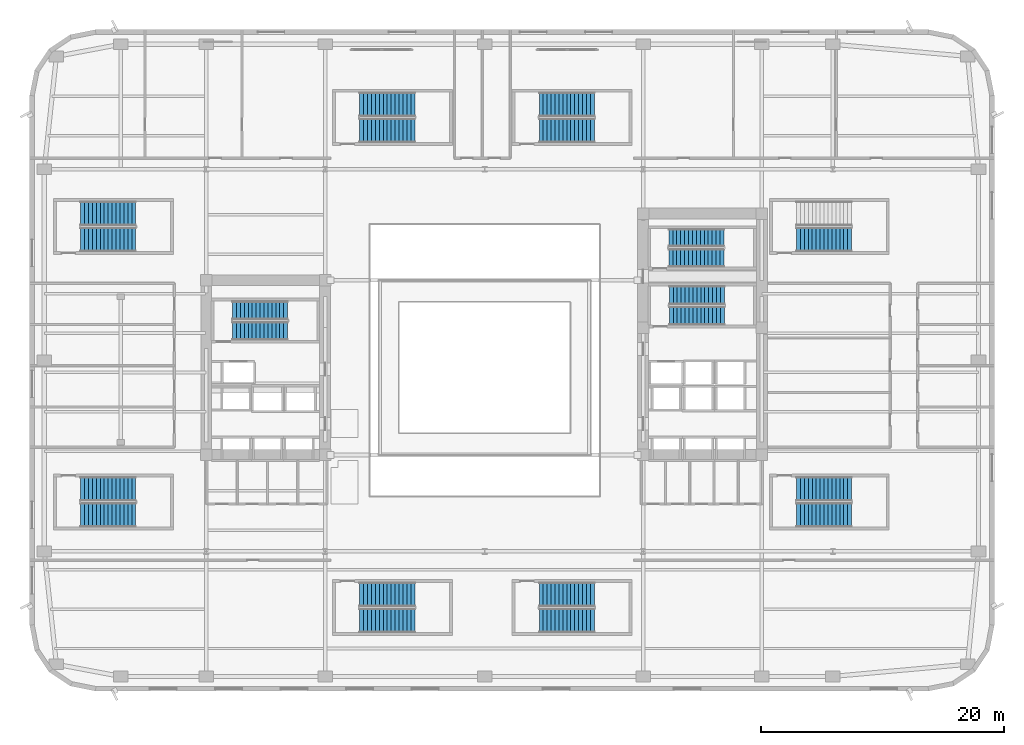
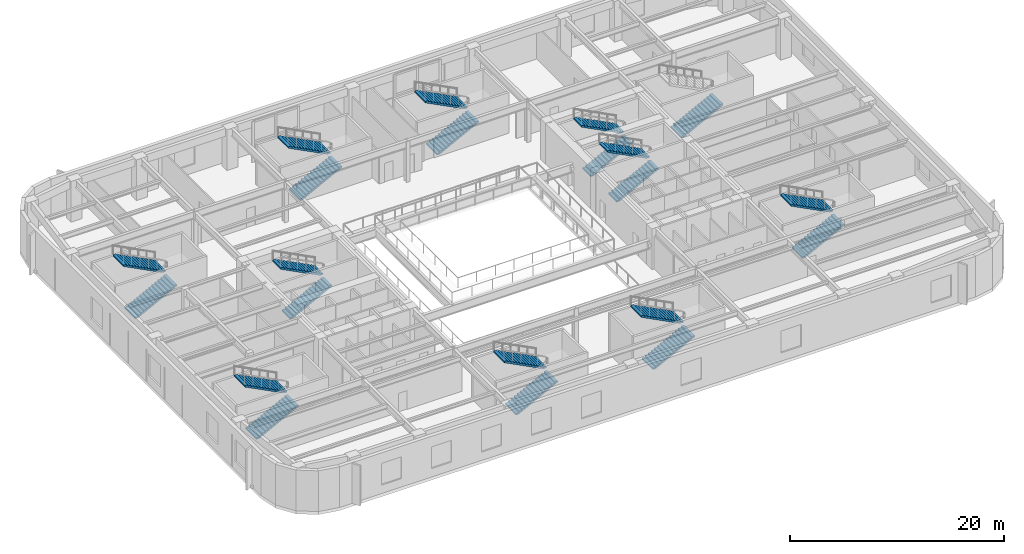
# One storey, part 10 of 21: 21 stair flights, 11 elements without a shape of their own.
"""IFC4 building model written with IfcOpenShell, lengths in metres."""

import ifcopenshell
import ifcopenshell.guid

model = None  # the IFC model being written
_history = None  # IfcOwnerHistory: only IFC2X3 demands one
_inside = {}  # id of a spatial element -> (the spatial element, [elements in it])
_under = {}  # id of a project, library or spatial element -> (it, [spatial elements below it])
_declared = {}  # id of a project -> (the project, [libraries it declares])
_typed = {}  # id of a type object -> (the type object, [elements of that type])
_made_of = {}  # id of a material, layer set ... -> (it, [elements and type objects made of it])


def new_model(schema):
    """Start an empty IFC model of exactly this schema.

    Asked for "IFC4X3", IfcOpenShell would pick the latest addendum, in which some entities
    have other attributes; the version numbers below select the first issue.
    IFC2X3 requires an IfcOwnerHistory on every rooted entity: one is made here for all.
    """
    global model, _history
    if schema == "IFC4X3":
        model = ifcopenshell.file(schema_version=(4, 3, 0, 0))
    else:
        model = ifcopenshell.file(schema=schema)
    _inside.clear()
    _under.clear()
    _declared.clear()
    _typed.clear()
    _made_of.clear()
    _history = None
    if model.schema == "IFC2X3":
        org = make("IfcOrganization", Name="unknown")
        user = make(
            "IfcPersonAndOrganization",
            ThePerson=make("IfcPerson", FamilyName="unknown"),
            TheOrganization=org,
        )
        app = make(
            "IfcApplication",
            ApplicationDeveloper=org,
            Version="unknown",
            ApplicationFullName="unknown",
            ApplicationIdentifier="unknown",
        )
        _history = make(
            "IfcOwnerHistory",
            OwningUser=user,
            OwningApplication=app,
            ChangeAction="ADDED",
            CreationDate=0,
        )
    return model


def make(cls, **values):
    """One entity of the class cls with the attributes given. An attribute that is None is left unset."""
    return model.create_entity(
        cls, **{name: value for name, value in values.items() if value is not None}
    )


def rooted(cls, **values):
    """An entity with a GlobalId (a new one), such as an element, a storey or a relation."""
    return make(cls, GlobalId=ifcopenshell.guid.new(), OwnerHistory=_history, **values)


def si_unit(unit_type, name, prefix=None):
    """IfcSIUnit, for example si_unit("LENGTHUNIT", "METRE", prefix="MILLI")."""
    return make("IfcSIUnit", UnitType=unit_type, Prefix=prefix, Name=name)


def assignment(units):
    """IfcUnitAssignment: the units of a project."""
    return None if units is None else make("IfcUnitAssignment", Units=units)


def point(xyz):
    """IfcCartesianPoint."""
    return None if xyz is None else make("IfcCartesianPoint", Coordinates=xyz)


def direction(xyz):
    """IfcDirection."""
    return None if xyz is None else make("IfcDirection", DirectionRatios=xyz)


def frame(location, z_axis=None, x_axis=None):
    """IfcAxis2Placement3D, a coordinate frame: its origin and axes. An axis left out is left unset."""
    return make(
        "IfcAxis2Placement3D",
        Location=point(location),
        Axis=direction(z_axis),
        RefDirection=direction(x_axis),
    )


def origin():
    """The frame at (0, 0, 0) with its axes left unset."""
    return frame((0.0, 0.0, 0.0))


def place(relative_to, where):
    """IfcLocalPlacement: puts the frame where relative to a parent placement (None: the world)."""
    return make(
        "IfcLocalPlacement", PlacementRelTo=relative_to, RelativePlacement=where
    )


def context(
    kind, dimensions, precision=None, world=None, true_north=None, identifier=None
):
    """IfcGeometricRepresentationContext, for example the 3D "Model" context."""
    return make(
        "IfcGeometricRepresentationContext",
        ContextIdentifier=identifier,
        ContextType=kind,
        CoordinateSpaceDimension=dimensions,
        Precision=precision,
        WorldCoordinateSystem=world,
        TrueNorth=true_north,
    )


def subcontext(parent, identifier, kind, view, scale=None):
    """IfcGeometricRepresentationSubContext, for example "Body" below "Model"."""
    return make(
        "IfcGeometricRepresentationSubContext",
        ContextIdentifier=identifier,
        ContextType=kind,
        ParentContext=parent,
        TargetScale=scale,
        TargetView=view,
    )


def project(units=None, contexts=None):
    """IfcProject with its units and contexts."""
    return rooted(
        "IfcProject",
        Name="project",
        RepresentationContexts=contexts,
        UnitsInContext=assignment(units),
    )


def spatial(cls, under=None, at=None, **own):
    """A site, building, storey or space (cls), placed at a placement, below another one or the project."""
    s = rooted(cls, ObjectPlacement=at, **own)
    if under is not None:
        _under.setdefault(under.id(), (under, []))[1].append(s)
    return s


def polyline(points):
    """IfcPolyline through the points."""
    return make("IfcPolyline", Points=[point(p) for p in points])


def outline(outer, holes=None, kind="AREA"):
    """IfcArbitraryClosedProfileDef: a profile drawn as a closed curve; with holes, ...WithVoids."""
    if holes is None:
        return make("IfcArbitraryClosedProfileDef", ProfileType=kind, OuterCurve=outer)
    return make(
        "IfcArbitraryProfileDefWithVoids",
        ProfileType=kind,
        OuterCurve=outer,
        InnerCurves=holes,
    )


def extrude(swept, where, along, depth):
    """IfcExtrudedAreaSolid: the profile swept, set in the frame where, extruded along a direction by depth."""
    return make(
        "IfcExtrudedAreaSolid",
        SweptArea=swept,
        Position=where,
        ExtrudedDirection=direction(along),
        Depth=depth,
    )


def shape(context_of_items, identifier, shape_type, items):
    """IfcShapeRepresentation: the items that make up one representation, for example the "Body"."""
    return make(
        "IfcShapeRepresentation",
        ContextOfItems=context_of_items,
        RepresentationIdentifier=identifier,
        RepresentationType=shape_type,
        Items=items,
    )


def material(Name=None, Category=None):
    """IfcMaterial."""
    return make("IfcMaterial", Name=Name, Category=Category)


def made_of(thing, what):
    """Note that an element or type object is made of a material, layer set ...; save() writes the relation."""
    if what is not None:
        _made_of.setdefault(what.id(), (what, []))[1].append(thing)
    return thing


def type_object(cls, material=None, **own):
    """A type object (cls), such as IfcWallType, which elements share."""
    return made_of(rooted(cls, **own), material)


def element(
    cls,
    number,
    at=None,
    inside=None,
    cuts=None,
    type_object=None,
    material=None,
    context=None,
    identifier="Body",
    shape_type=None,
    held_by="IfcProductDefinitionShape",
    body=None,
    shapes=None,
    **own,
):
    """One element of the class cls, such as IfcWall. Its Tag is "e" and its number.

    at: its placement. inside: the storey or other place that contains it. cuts: it is an
    opening in that element (IfcRelVoidsElement). A single representation is given by context,
    identifier, shape_type and body (its items); several are given by shapes. held_by: the class
    of the entity that holds the representations. save() writes the other relations.
    """
    e = rooted(cls, Tag="e%d" % number, ObjectPlacement=at, **own)
    if body is not None:
        shapes = [shape(context, identifier, shape_type, body)]
    if shapes is not None:
        e.Representation = make(held_by, Representations=shapes)
    if inside is not None:
        _inside.setdefault(inside.id(), (inside, []))[1].append(e)
    if cuts is not None:
        rooted(
            "IfcRelVoidsElement", RelatingBuildingElement=cuts, RelatedOpeningElement=e
        )
    if type_object is not None:
        _typed.setdefault(type_object.id(), (type_object, []))[1].append(e)
    return made_of(e, material)


def aggregate(whole, parts):
    """IfcRelAggregates: a whole, such as a stair, and the parts it consists of."""
    return rooted("IfcRelAggregates", RelatingObject=whole, RelatedObjects=parts)


def save(model, path):
    """Write the relations noted so far, then the file.

    IfcRelAggregates (storeys below a building ...), IfcRelContainedInSpatialStructure (elements
    in a storey), IfcRelDefinesByType, IfcRelAssociatesMaterial and IfcRelDeclares: one each for
    every whole, place, type object, material and project.
    """
    for whole, parts in _under.values():
        aggregate(whole, parts)
    for where, things in _inside.values():
        rooted(
            "IfcRelContainedInSpatialStructure",
            RelatedElements=things,
            RelatingStructure=where,
        )
    for kind, things in _typed.values():
        rooted("IfcRelDefinesByType", RelatedObjects=things, RelatingType=kind)
    for what, things in _made_of.values():
        rooted("IfcRelAssociatesMaterial", RelatedObjects=things, RelatingMaterial=what)
    for by, libraries in _declared.values():
        rooted("IfcRelDeclares", RelatingContext=by, RelatedDefinitions=libraries)
    model.write(path)


model = new_model("IFC4")

# Units and contexts
model_context = context("Model", 3, precision=1e-05, world=origin(), true_north=direction((0.0, 1.0)))
body_context = subcontext(model_context, "Body", "Model", "MODEL_VIEW")
ifc_project = project(units=[si_unit("LENGTHUNIT", "METRE"), si_unit("AREAUNIT", "SQUARE_METRE"), si_unit("VOLUMEUNIT", "CUBIC_METRE"), si_unit("PLANEANGLEUNIT", "RADIAN"), si_unit("MASSUNIT", "GRAM", prefix="KILO")], contexts=[model_context])

# Site, building, storey
site_placement = place(None, origin())
site = spatial("IfcSite", under=ifc_project, at=site_placement, CompositionType="ELEMENT")
building_placement = place(site_placement, origin())
building = spatial("IfcBuilding", under=site, at=building_placement, Name="Kolvaren Arena Tower", CompositionType="ELEMENT")
storey_placement = place(building_placement, frame((0.0, 0.0, 18.0)))
storey = spatial("IfcBuildingStorey", under=building, at=storey_placement, Name="L03", CompositionType="ELEMENT", Elevation=18.0)

# Stair, stair flights
ifc_material = material(Name="Concrete 45 MPa", Category="concrete")
stair_type_1 = type_object("IfcStairType", Name="STAIR-CORE-150", PredefinedType="HALF_TURN_STAIR", material=ifc_material)
stair_1_placement = place(storey_placement, origin())
stair_1 = element("IfcStair", 1, at=stair_1_placement, inside=storey, type_object=stair_type_1, Name="L03 ST-E2", PredefinedType="HALF_TURN_STAIR")
stair_flight_type_1 = type_object("IfcStairFlightType", Name="FLT-150", PredefinedType="STRAIGHT", material=ifc_material)
stair_flight_1_placement = place(storey_placement, frame((52.679931640625, 35.699951171875, 0.0), z_axis=(0.0, 0.0, 1.0), x_axis=(1.0, 0.0, 0.0)))
stair_flight_1 = element("IfcStairFlight", 2, at=stair_flight_1_placement, type_object=stair_flight_type_1, Name="ST-E2 flight 1", NumberOfRisers=15, NumberOfTreads=14, PredefinedType="STRAIGHT", RiserHeight=0.166666667, TreadLength=0.324, context=body_context, shape_type="SweptSolid", body=[
    extrude(outline(polyline([(0.0, 0.0), (0.0, 0.166748046875), (0.323974609375, 0.166748046875), (0.323974609375, 0.333251953125), (0.64794921875, 0.333251953125), (0.64794921875, 0.5), (0.971923828125, 0.5), (0.971923828125, 0.666748046875), (1.2958984375, 0.666748046875), (1.2958984375, 0.833251953125), (1.6201171875, 0.833251953125), (1.6201171875, 1.0), (1.944091796875, 1.0), (1.944091796875, 1.166748046875), (2.26806640625, 1.166748046875), (2.26806640625, 1.333251953125), (2.592041015625, 1.333251953125), (2.592041015625, 1.5), (2.916015625, 1.5), (2.916015625, 1.666748046875), (3.239990234375, 1.666748046875), (3.239990234375, 1.833251953125), (3.56396484375, 1.833251953125), (3.56396484375, 2.0), (3.887939453125, 2.0), (3.887939453125, 2.166748046875), (4.2119140625, 2.166748046875), (4.2119140625, 2.333251953125), (4.535888671875, 2.333251953125), (4.535888671875, 2.5), (4.535888671875, 2.164794921875), (0.32763671875, 0.0), (0.0, 0.0)])), frame((0.0, 0.75, 0.0), z_axis=(0.0, -1.0, 0.0), x_axis=(1.0, 0.0, 0.0)), (0.0, 0.0, 1.0), 1.5),
])
stair_flight_2_placement = place(storey_placement, frame((57.216064453125, 37.35009765625, 2.5), z_axis=(0.0, 0.0, 1.0), x_axis=(-1.0, 0.0, 0.0)))
stair_flight_2 = element("IfcStairFlight", 3, at=stair_flight_2_placement, type_object=stair_flight_type_1, Name="ST-E2 flight 2", NumberOfRisers=15, NumberOfTreads=14, PredefinedType="STRAIGHT", RiserHeight=0.166666667, TreadLength=0.324, context=body_context, shape_type="SweptSolid", body=[
    extrude(outline(polyline([(0.0, 0.0), (0.0, 0.166748046875), (0.323974609375, 0.166748046875), (0.323974609375, 0.333251953125), (0.64794921875, 0.333251953125), (0.64794921875, 0.5), (0.971923828125, 0.5), (0.971923828125, 0.666748046875), (1.2958984375, 0.666748046875), (1.2958984375, 0.833251953125), (1.6201171875, 0.833251953125), (1.6201171875, 1.0), (1.944091796875, 1.0), (1.944091796875, 1.166748046875), (2.26806640625, 1.166748046875), (2.26806640625, 1.333251953125), (2.592041015625, 1.333251953125), (2.592041015625, 1.5), (2.916015625, 1.5), (2.916015625, 1.666748046875), (3.239990234375, 1.666748046875), (3.239990234375, 1.833251953125), (3.56396484375, 1.833251953125), (3.56396484375, 2.0), (3.887939453125, 2.0), (3.887939453125, 2.166748046875), (4.2119140625, 2.166748046875), (4.2119140625, 2.333251953125), (4.535888671875, 2.333251953125), (4.535888671875, 2.5), (4.535888671875, 2.164794921875), (0.32763671875, 0.0), (0.0, 0.0)])), frame((0.0, 0.75, 0.0), z_axis=(0.0, -1.0, 0.0), x_axis=(1.0, 0.0, 0.0)), (0.0, 0.0, 1.0), 1.5),
])
aggregate(stair_1, [stair_flight_1, stair_flight_2])

stair_type_2 = type_object("IfcStairType", Name="STAIR-CORE-165", PredefinedType="HALF_TURN_STAIR", material=ifc_material)
stair_2_placement = place(storey_placement, origin())
stair_2 = element("IfcStair", 4, at=stair_2_placement, inside=storey, type_object=stair_type_2, Name="L03 ST-W1", PredefinedType="HALF_TURN_STAIR")
stair_flight_type_2 = type_object("IfcStairFlightType", Name="FLT-165", PredefinedType="STRAIGHT", material=ifc_material)
stair_flight_3_placement = place(storey_placement, frame((16.719970703125, 29.669921875, 0.0), z_axis=(0.0, 0.0, 1.0), x_axis=(1.0, 0.0, 0.0)))
stair_flight_3 = element("IfcStairFlight", 5, at=stair_flight_3_placement, type_object=stair_flight_type_2, Name="ST-W1 flight 1", NumberOfRisers=15, NumberOfTreads=14, PredefinedType="STRAIGHT", RiserHeight=0.166666667, TreadLength=0.324, context=body_context, shape_type="SweptSolid", body=[
    extrude(outline(polyline([(0.0, 0.0), (0.0, 0.166748046875), (0.323974609375, 0.166748046875), (0.323974609375, 0.333251953125), (0.64794921875, 0.333251953125), (0.64794921875, 0.5), (0.971923828125, 0.5), (0.971923828125, 0.666748046875), (1.2958984375, 0.666748046875), (1.2958984375, 0.833251953125), (1.6201171875, 0.833251953125), (1.6201171875, 1.0), (1.944091796875, 1.0), (1.944091796875, 1.166748046875), (2.26806640625, 1.166748046875), (2.26806640625, 1.333251953125), (2.592041015625, 1.333251953125), (2.592041015625, 1.5), (2.916015625, 1.5), (2.916015625, 1.666748046875), (3.239990234375, 1.666748046875), (3.239990234375, 1.833251953125), (3.56396484375, 1.833251953125), (3.56396484375, 2.0), (3.887939453125, 2.0), (3.887939453125, 2.166748046875), (4.2119140625, 2.166748046875), (4.2119140625, 2.333251953125), (4.535888671875, 2.333251953125), (4.535888671875, 2.5), (4.535888671875, 2.164794921875), (0.32763671875, 0.0), (0.0, 0.0)])), frame((0.0, 0.77001953125, 0.0), z_axis=(0.0, -1.0, 0.0), x_axis=(1.0, 0.0, 0.0)), (0.0, 0.0, 1.0), 1.5400390625),
])
stair_flight_4_placement = place(storey_placement, frame((21.256103515625, 31.360107421875, 2.5), z_axis=(0.0, 0.0, 1.0), x_axis=(-1.0, 0.0, 0.0)))
stair_flight_4 = element("IfcStairFlight", 6, at=stair_flight_4_placement, type_object=stair_flight_type_2, Name="ST-W1 flight 2", NumberOfRisers=15, NumberOfTreads=14, PredefinedType="STRAIGHT", RiserHeight=0.166666667, TreadLength=0.324, context=body_context, shape_type="SweptSolid", body=[
    extrude(outline(polyline([(0.0, 0.0), (0.0, 0.166748046875), (0.323974609375, 0.166748046875), (0.323974609375, 0.333251953125), (0.64794921875, 0.333251953125), (0.64794921875, 0.5), (0.971923828125, 0.5), (0.971923828125, 0.666748046875), (1.2958984375, 0.666748046875), (1.2958984375, 0.833251953125), (1.6201171875, 0.833251953125), (1.6201171875, 1.0), (1.944091796875, 1.0), (1.944091796875, 1.166748046875), (2.26806640625, 1.166748046875), (2.26806640625, 1.333251953125), (2.592041015625, 1.333251953125), (2.592041015625, 1.5), (2.916015625, 1.5), (2.916015625, 1.666748046875), (3.239990234375, 1.666748046875), (3.239990234375, 1.833251953125), (3.56396484375, 1.833251953125), (3.56396484375, 2.0), (3.887939453125, 2.0), (3.887939453125, 2.166748046875), (4.2119140625, 2.166748046875), (4.2119140625, 2.333251953125), (4.535888671875, 2.333251953125), (4.535888671875, 2.5), (4.535888671875, 2.164794921875), (0.32763671875, 0.0), (0.0, 0.0)])), frame((0.0, 0.77001953125, 0.0), z_axis=(0.0, -1.0, 0.0), x_axis=(1.0, 0.0, 0.0)), (0.0, 0.0, 1.0), 1.5400390625),
])
aggregate(stair_2, [stair_flight_3, stair_flight_4])

stair_3_placement = place(storey_placement, origin())
stair_3 = element("IfcStair", 7, at=stair_3_placement, inside=storey, type_object=stair_type_2, Name="L03 ST-E1", PredefinedType="HALF_TURN_STAIR")
stair_flight_5_placement = place(storey_placement, frame((52.719970703125, 30.919921875, 0.0), z_axis=(0.0, 0.0, 1.0), x_axis=(1.0, 0.0, 0.0)))
stair_flight_5 = element("IfcStairFlight", 8, at=stair_flight_5_placement, type_object=stair_flight_type_2, Name="ST-E1 flight 1", NumberOfRisers=15, NumberOfTreads=14, PredefinedType="STRAIGHT", RiserHeight=0.166666667, TreadLength=0.324, context=body_context, shape_type="SweptSolid", body=[
    extrude(outline(polyline([(0.0, 0.0), (0.0, 0.166748046875), (0.323974609375, 0.166748046875), (0.323974609375, 0.333251953125), (0.64794921875, 0.333251953125), (0.64794921875, 0.5), (0.971923828125, 0.5), (0.971923828125, 0.666748046875), (1.2958984375, 0.666748046875), (1.2958984375, 0.833251953125), (1.6201171875, 0.833251953125), (1.6201171875, 1.0), (1.944091796875, 1.0), (1.944091796875, 1.166748046875), (2.26806640625, 1.166748046875), (2.26806640625, 1.333251953125), (2.592041015625, 1.333251953125), (2.592041015625, 1.5), (2.916015625, 1.5), (2.916015625, 1.666748046875), (3.239990234375, 1.666748046875), (3.239990234375, 1.833251953125), (3.56396484375, 1.833251953125), (3.56396484375, 2.0), (3.887939453125, 2.0), (3.887939453125, 2.166748046875), (4.2119140625, 2.166748046875), (4.2119140625, 2.333251953125), (4.535888671875, 2.333251953125), (4.535888671875, 2.5), (4.535888671875, 2.164794921875), (0.32763671875, 0.0), (0.0, 0.0)])), frame((0.0, 0.77001953125, 0.0), z_axis=(0.0, -1.0, 0.0), x_axis=(1.0, 0.0, 0.0)), (0.0, 0.0, 1.0), 1.5400390625),
])
stair_flight_6_placement = place(storey_placement, frame((57.256103515625, 32.610107421875, 2.5), z_axis=(0.0, 0.0, 1.0), x_axis=(-1.0, 0.0, 0.0)))
stair_flight_6 = element("IfcStairFlight", 9, at=stair_flight_6_placement, type_object=stair_flight_type_2, Name="ST-E1 flight 2", NumberOfRisers=15, NumberOfTreads=14, PredefinedType="STRAIGHT", RiserHeight=0.166666667, TreadLength=0.324, context=body_context, shape_type="SweptSolid", body=[
    extrude(outline(polyline([(0.0, 0.0), (0.0, 0.166748046875), (0.323974609375, 0.166748046875), (0.323974609375, 0.333251953125), (0.64794921875, 0.333251953125), (0.64794921875, 0.5), (0.971923828125, 0.5), (0.971923828125, 0.666748046875), (1.2958984375, 0.666748046875), (1.2958984375, 0.833251953125), (1.6201171875, 0.833251953125), (1.6201171875, 1.0), (1.944091796875, 1.0), (1.944091796875, 1.166748046875), (2.26806640625, 1.166748046875), (2.26806640625, 1.333251953125), (2.592041015625, 1.333251953125), (2.592041015625, 1.5), (2.916015625, 1.5), (2.916015625, 1.666748046875), (3.239990234375, 1.666748046875), (3.239990234375, 1.833251953125), (3.56396484375, 1.833251953125), (3.56396484375, 2.0), (3.887939453125, 2.0), (3.887939453125, 2.166748046875), (4.2119140625, 2.166748046875), (4.2119140625, 2.333251953125), (4.535888671875, 2.333251953125), (4.535888671875, 2.5), (4.535888671875, 2.164794921875), (0.32763671875, 0.0), (0.0, 0.0)])), frame((0.0, 0.77001953125, 0.0), z_axis=(0.0, -1.0, 0.0), x_axis=(1.0, 0.0, 0.0)), (0.0, 0.0, 1.0), 1.5400390625),
])
aggregate(stair_3, [stair_flight_5, stair_flight_6])

stair_type_3 = type_object("IfcStairType", Name="STAIR-ARENA-220", PredefinedType="HALF_TURN_STAIR", material=ifc_material)
stair_4_placement = place(storey_placement, origin())
stair_4 = element("IfcStair", 10, at=stair_4_placement, inside=storey, type_object=stair_type_3, Name="L03 ST-A1", PredefinedType="HALF_TURN_STAIR")
stair_flight_type_3 = type_object("IfcStairFlightType", Name="FLT-220", PredefinedType="STRAIGHT", material=ifc_material)
stair_flight_7_placement = place(storey_placement, frame((4.199951171875, 14.5, 0.0), z_axis=(0.0, 0.0, 1.0), x_axis=(1.0, 0.0, 0.0)))
stair_flight_7 = element("IfcStairFlight", 11, at=stair_flight_7_placement, type_object=stair_flight_type_3, Name="ST-A1 flight 1", NumberOfRisers=15, NumberOfTreads=14, PredefinedType="STRAIGHT", RiserHeight=0.166666667, TreadLength=0.324, context=body_context, shape_type="SweptSolid", body=[
    extrude(outline(polyline([(0.0, 0.0), (0.0, 0.166748046875), (0.323974609375, 0.166748046875), (0.323974609375, 0.333251953125), (0.64794921875, 0.333251953125), (0.64794921875, 0.5), (0.971923828125, 0.5), (0.971923828125, 0.666748046875), (1.2958984375, 0.666748046875), (1.2958984375, 0.833251953125), (1.6201171875, 0.833251953125), (1.6201171875, 1.0), (1.944091796875, 1.0), (1.944091796875, 1.166748046875), (2.26806640625, 1.166748046875), (2.26806640625, 1.333251953125), (2.592041015625, 1.333251953125), (2.592041015625, 1.5), (2.916015625, 1.5), (2.916015625, 1.666748046875), (3.239990234375, 1.666748046875), (3.239990234375, 1.833251953125), (3.56396484375, 1.833251953125), (3.56396484375, 2.0), (3.887939453125, 2.0), (3.887939453125, 2.166748046875), (4.2119140625, 2.166748046875), (4.2119140625, 2.333251953125), (4.535888671875, 2.333251953125), (4.535888671875, 2.5), (4.535888671875, 2.164794921875), (0.32763671875, 0.0), (0.0, 0.0)])), frame((0.0, 1.0, 0.0), z_axis=(0.0, -1.0, 0.0), x_axis=(1.0, 0.0, 0.0)), (0.0, 0.0, 1.0), 2.0),
])
stair_flight_8_placement = place(storey_placement, frame((8.736083984375, 16.64990234375, 2.5), z_axis=(0.0, 0.0, 1.0), x_axis=(-1.0, 0.0, 0.0)))
stair_flight_8 = element("IfcStairFlight", 12, at=stair_flight_8_placement, type_object=stair_flight_type_3, Name="ST-A1 flight 2", NumberOfRisers=15, NumberOfTreads=14, PredefinedType="STRAIGHT", RiserHeight=0.166666667, TreadLength=0.324, context=body_context, shape_type="SweptSolid", body=[
    extrude(outline(polyline([(0.0, 0.0), (0.0, 0.166748046875), (0.323974609375, 0.166748046875), (0.323974609375, 0.333251953125), (0.64794921875, 0.333251953125), (0.64794921875, 0.5), (0.971923828125, 0.5), (0.971923828125, 0.666748046875), (1.2958984375, 0.666748046875), (1.2958984375, 0.833251953125), (1.6201171875, 0.833251953125), (1.6201171875, 1.0), (1.944091796875, 1.0), (1.944091796875, 1.166748046875), (2.26806640625, 1.166748046875), (2.26806640625, 1.333251953125), (2.592041015625, 1.333251953125), (2.592041015625, 1.5), (2.916015625, 1.5), (2.916015625, 1.666748046875), (3.239990234375, 1.666748046875), (3.239990234375, 1.833251953125), (3.56396484375, 1.833251953125), (3.56396484375, 2.0), (3.887939453125, 2.0), (3.887939453125, 2.166748046875), (4.2119140625, 2.166748046875), (4.2119140625, 2.333251953125), (4.535888671875, 2.333251953125), (4.535888671875, 2.5), (4.535888671875, 2.164794921875), (0.32763671875, 0.0), (0.0, 0.0)])), frame((0.0, 1.0, 0.0), z_axis=(0.0, -1.0, 0.0), x_axis=(1.0, 0.0, 0.0)), (0.0, 0.0, 1.0), 2.0),
])
aggregate(stair_4, [stair_flight_7, stair_flight_8])

stair_5_placement = place(storey_placement, origin())
stair_5 = element("IfcStair", 13, at=stair_5_placement, inside=storey, type_object=stair_type_3, Name="L03 ST-A2", PredefinedType="HALF_TURN_STAIR")
stair_flight_9_placement = place(storey_placement, frame((27.199951171875, 5.800048828125, 0.0), z_axis=(0.0, 0.0, 1.0), x_axis=(1.0, 0.0, 0.0)))
stair_flight_9 = element("IfcStairFlight", 14, at=stair_flight_9_placement, type_object=stair_flight_type_3, Name="ST-A2 flight 1", NumberOfRisers=15, NumberOfTreads=14, PredefinedType="STRAIGHT", RiserHeight=0.166666667, TreadLength=0.324, context=body_context, shape_type="SweptSolid", body=[
    extrude(outline(polyline([(0.0, 0.0), (0.0, 0.166748046875), (0.323974609375, 0.166748046875), (0.323974609375, 0.333251953125), (0.64794921875, 0.333251953125), (0.64794921875, 0.5), (0.971923828125, 0.5), (0.971923828125, 0.666748046875), (1.2958984375, 0.666748046875), (1.2958984375, 0.833251953125), (1.6201171875, 0.833251953125), (1.6201171875, 1.0), (1.944091796875, 1.0), (1.944091796875, 1.166748046875), (2.26806640625, 1.166748046875), (2.26806640625, 1.333251953125), (2.592041015625, 1.333251953125), (2.592041015625, 1.5), (2.916015625, 1.5), (2.916015625, 1.666748046875), (3.239990234375, 1.666748046875), (3.239990234375, 1.833251953125), (3.56396484375, 1.833251953125), (3.56396484375, 2.0), (3.887939453125, 2.0), (3.887939453125, 2.166748046875), (4.2119140625, 2.166748046875), (4.2119140625, 2.333251953125), (4.535888671875, 2.333251953125), (4.535888671875, 2.5), (4.535888671875, 2.164794921875), (0.32763671875, 0.0), (0.0, 0.0)])), frame((0.0, 1.0, 0.0), z_axis=(0.0, -1.0, 0.0), x_axis=(1.0, 0.0, 0.0)), (0.0, 0.0, 1.0), 2.0),
])
stair_flight_10_placement = place(storey_placement, frame((31.736083984375, 7.949951171875, 2.5), z_axis=(0.0, 0.0, 1.0), x_axis=(-1.0, 0.0, 0.0)))
stair_flight_10 = element("IfcStairFlight", 15, at=stair_flight_10_placement, type_object=stair_flight_type_3, Name="ST-A2 flight 2", NumberOfRisers=15, NumberOfTreads=14, PredefinedType="STRAIGHT", RiserHeight=0.166666667, TreadLength=0.324, context=body_context, shape_type="SweptSolid", body=[
    extrude(outline(polyline([(0.0, 0.0), (0.0, 0.166748046875), (0.323974609375, 0.166748046875), (0.323974609375, 0.333251953125), (0.64794921875, 0.333251953125), (0.64794921875, 0.5), (0.971923828125, 0.5), (0.971923828125, 0.666748046875), (1.2958984375, 0.666748046875), (1.2958984375, 0.833251953125), (1.6201171875, 0.833251953125), (1.6201171875, 1.0), (1.944091796875, 1.0), (1.944091796875, 1.166748046875), (2.26806640625, 1.166748046875), (2.26806640625, 1.333251953125), (2.592041015625, 1.333251953125), (2.592041015625, 1.5), (2.916015625, 1.5), (2.916015625, 1.666748046875), (3.239990234375, 1.666748046875), (3.239990234375, 1.833251953125), (3.56396484375, 1.833251953125), (3.56396484375, 2.0), (3.887939453125, 2.0), (3.887939453125, 2.166748046875), (4.2119140625, 2.166748046875), (4.2119140625, 2.333251953125), (4.535888671875, 2.333251953125), (4.535888671875, 2.5), (4.535888671875, 2.164794921875), (0.32763671875, 0.0), (0.0, 0.0)])), frame((0.0, 1.0, 0.0), z_axis=(0.0, -1.0, 0.0), x_axis=(1.0, 0.0, 0.0)), (0.0, 0.0, 1.0), 2.0),
])
aggregate(stair_5, [stair_flight_9, stair_flight_10])

stair_6_placement = place(storey_placement, origin())
stair_6 = element("IfcStair", 16, at=stair_6_placement, inside=storey, type_object=stair_type_3, Name="L03 ST-A3", PredefinedType="HALF_TURN_STAIR")
stair_flight_11_placement = place(storey_placement, frame((42.0, 5.800048828125, 0.0), z_axis=(0.0, 0.0, 1.0), x_axis=(1.0, 0.0, 0.0)))
stair_flight_11 = element("IfcStairFlight", 17, at=stair_flight_11_placement, type_object=stair_flight_type_3, Name="ST-A3 flight 1", NumberOfRisers=15, NumberOfTreads=14, PredefinedType="STRAIGHT", RiserHeight=0.166666667, TreadLength=0.324, context=body_context, shape_type="SweptSolid", body=[
    extrude(outline(polyline([(0.0, 0.0), (0.0, 0.166748046875), (0.323974609375, 0.166748046875), (0.323974609375, 0.333251953125), (0.64794921875, 0.333251953125), (0.64794921875, 0.5), (0.971923828125, 0.5), (0.971923828125, 0.666748046875), (1.2958984375, 0.666748046875), (1.2958984375, 0.833251953125), (1.6201171875, 0.833251953125), (1.6201171875, 1.0), (1.944091796875, 1.0), (1.944091796875, 1.166748046875), (2.26806640625, 1.166748046875), (2.26806640625, 1.333251953125), (2.592041015625, 1.333251953125), (2.592041015625, 1.5), (2.916015625, 1.5), (2.916015625, 1.666748046875), (3.239990234375, 1.666748046875), (3.239990234375, 1.833251953125), (3.56396484375, 1.833251953125), (3.56396484375, 2.0), (3.887939453125, 2.0), (3.887939453125, 2.166748046875), (4.2119140625, 2.166748046875), (4.2119140625, 2.333251953125), (4.535888671875, 2.333251953125), (4.535888671875, 2.5), (4.535888671875, 2.164794921875), (0.32763671875, 0.0), (0.0, 0.0)])), frame((0.0, 1.0, 0.0), z_axis=(0.0, -1.0, 0.0), x_axis=(1.0, 0.0, 0.0)), (0.0, 0.0, 1.0), 2.0),
])
stair_flight_12_placement = place(storey_placement, frame((46.535888671875, 7.949951171875, 2.5), z_axis=(0.0, 0.0, 1.0), x_axis=(-1.0, 0.0, 0.0)))
stair_flight_12 = element("IfcStairFlight", 18, at=stair_flight_12_placement, type_object=stair_flight_type_3, Name="ST-A3 flight 2", NumberOfRisers=15, NumberOfTreads=14, PredefinedType="STRAIGHT", RiserHeight=0.166666667, TreadLength=0.324, context=body_context, shape_type="SweptSolid", body=[
    extrude(outline(polyline([(0.0, 0.0), (0.0, 0.166748046875), (0.323974609375, 0.166748046875), (0.323974609375, 0.333251953125), (0.64794921875, 0.333251953125), (0.64794921875, 0.5), (0.971923828125, 0.5), (0.971923828125, 0.666748046875), (1.2958984375, 0.666748046875), (1.2958984375, 0.833251953125), (1.6201171875, 0.833251953125), (1.6201171875, 1.0), (1.944091796875, 1.0), (1.944091796875, 1.166748046875), (2.26806640625, 1.166748046875), (2.26806640625, 1.333251953125), (2.592041015625, 1.333251953125), (2.592041015625, 1.5), (2.916015625, 1.5), (2.916015625, 1.666748046875), (3.239990234375, 1.666748046875), (3.239990234375, 1.833251953125), (3.56396484375, 1.833251953125), (3.56396484375, 2.0), (3.887939453125, 2.0), (3.887939453125, 2.166748046875), (4.2119140625, 2.166748046875), (4.2119140625, 2.333251953125), (4.535888671875, 2.333251953125), (4.535888671875, 2.5), (4.535888671875, 2.164794921875), (0.32763671875, 0.0), (0.0, 0.0)])), frame((0.0, 1.0, 0.0), z_axis=(0.0, -1.0, 0.0), x_axis=(1.0, 0.0, 0.0)), (0.0, 0.0, 1.0), 2.0),
])
aggregate(stair_6, [stair_flight_11, stair_flight_12])

stair_7_placement = place(storey_placement, origin())
stair_7 = element("IfcStair", 19, at=stair_7_placement, inside=storey, type_object=stair_type_3, Name="L03 ST-A4", PredefinedType="HALF_TURN_STAIR")
stair_flight_13_placement = place(storey_placement, frame((63.199951171875, 14.5, 0.0), z_axis=(0.0, 0.0, 1.0), x_axis=(1.0, 0.0, 0.0)))
stair_flight_13 = element("IfcStairFlight", 20, at=stair_flight_13_placement, type_object=stair_flight_type_3, Name="ST-A4 flight 1", NumberOfRisers=15, NumberOfTreads=14, PredefinedType="STRAIGHT", RiserHeight=0.166666667, TreadLength=0.324, context=body_context, shape_type="SweptSolid", body=[
    extrude(outline(polyline([(0.0, 0.0), (0.0, 0.166748046875), (0.323974609375, 0.166748046875), (0.323974609375, 0.333251953125), (0.64794921875, 0.333251953125), (0.64794921875, 0.5), (0.971923828125, 0.5), (0.971923828125, 0.666748046875), (1.2958984375, 0.666748046875), (1.2958984375, 0.833251953125), (1.6201171875, 0.833251953125), (1.6201171875, 1.0), (1.944091796875, 1.0), (1.944091796875, 1.166748046875), (2.26806640625, 1.166748046875), (2.26806640625, 1.333251953125), (2.592041015625, 1.333251953125), (2.592041015625, 1.5), (2.916015625, 1.5), (2.916015625, 1.666748046875), (3.239990234375, 1.666748046875), (3.239990234375, 1.833251953125), (3.56396484375, 1.833251953125), (3.56396484375, 2.0), (3.887939453125, 2.0), (3.887939453125, 2.166748046875), (4.2119140625, 2.166748046875), (4.2119140625, 2.333251953125), (4.535888671875, 2.333251953125), (4.535888671875, 2.5), (4.535888671875, 2.164794921875), (0.32763671875, 0.0), (0.0, 0.0)])), frame((0.0, 1.0, 0.0), z_axis=(0.0, -1.0, 0.0), x_axis=(1.0, 0.0, 0.0)), (0.0, 0.0, 1.0), 2.0),
])
stair_flight_14_placement = place(storey_placement, frame((67.736083984375, 16.64990234375, 2.5), z_axis=(0.0, 0.0, 1.0), x_axis=(-1.0, 0.0, 0.0)))
stair_flight_14 = element("IfcStairFlight", 21, at=stair_flight_14_placement, type_object=stair_flight_type_3, Name="ST-A4 flight 2", NumberOfRisers=15, NumberOfTreads=14, PredefinedType="STRAIGHT", RiserHeight=0.166666667, TreadLength=0.324, context=body_context, shape_type="SweptSolid", body=[
    extrude(outline(polyline([(0.0, 0.0), (0.0, 0.166748046875), (0.323974609375, 0.166748046875), (0.323974609375, 0.333251953125), (0.64794921875, 0.333251953125), (0.64794921875, 0.5), (0.971923828125, 0.5), (0.971923828125, 0.666748046875), (1.2958984375, 0.666748046875), (1.2958984375, 0.833251953125), (1.6201171875, 0.833251953125), (1.6201171875, 1.0), (1.944091796875, 1.0), (1.944091796875, 1.166748046875), (2.26806640625, 1.166748046875), (2.26806640625, 1.333251953125), (2.592041015625, 1.333251953125), (2.592041015625, 1.5), (2.916015625, 1.5), (2.916015625, 1.666748046875), (3.239990234375, 1.666748046875), (3.239990234375, 1.833251953125), (3.56396484375, 1.833251953125), (3.56396484375, 2.0), (3.887939453125, 2.0), (3.887939453125, 2.166748046875), (4.2119140625, 2.166748046875), (4.2119140625, 2.333251953125), (4.535888671875, 2.333251953125), (4.535888671875, 2.5), (4.535888671875, 2.164794921875), (0.32763671875, 0.0), (0.0, 0.0)])), frame((0.0, 1.0, 0.0), z_axis=(0.0, -1.0, 0.0), x_axis=(1.0, 0.0, 0.0)), (0.0, 0.0, 1.0), 2.0),
])
aggregate(stair_7, [stair_flight_13, stair_flight_14])

stair_8_placement = place(storey_placement, origin())
stair_8 = element("IfcStair", 22, at=stair_8_placement, inside=storey, type_object=stair_type_3, Name="L03 ST-A5", PredefinedType="HALF_TURN_STAIR")
stair_flight_15_placement = place(storey_placement, frame((4.199951171875, 37.199951171875, 0.0), z_axis=(0.0, 0.0, 1.0), x_axis=(1.0, 0.0, 0.0)))
stair_flight_15 = element("IfcStairFlight", 23, at=stair_flight_15_placement, type_object=stair_flight_type_3, Name="ST-A5 flight 1", NumberOfRisers=15, NumberOfTreads=14, PredefinedType="STRAIGHT", RiserHeight=0.166666667, TreadLength=0.324, context=body_context, shape_type="SweptSolid", body=[
    extrude(outline(polyline([(0.0, 0.0), (0.0, 0.166748046875), (0.323974609375, 0.166748046875), (0.323974609375, 0.333251953125), (0.64794921875, 0.333251953125), (0.64794921875, 0.5), (0.971923828125, 0.5), (0.971923828125, 0.666748046875), (1.2958984375, 0.666748046875), (1.2958984375, 0.833251953125), (1.6201171875, 0.833251953125), (1.6201171875, 1.0), (1.944091796875, 1.0), (1.944091796875, 1.166748046875), (2.26806640625, 1.166748046875), (2.26806640625, 1.333251953125), (2.592041015625, 1.333251953125), (2.592041015625, 1.5), (2.916015625, 1.5), (2.916015625, 1.666748046875), (3.239990234375, 1.666748046875), (3.239990234375, 1.833251953125), (3.56396484375, 1.833251953125), (3.56396484375, 2.0), (3.887939453125, 2.0), (3.887939453125, 2.166748046875), (4.2119140625, 2.166748046875), (4.2119140625, 2.333251953125), (4.535888671875, 2.333251953125), (4.535888671875, 2.5), (4.535888671875, 2.164794921875), (0.32763671875, 0.0), (0.0, 0.0)])), frame((0.0, 1.0, 0.0), z_axis=(0.0, -1.0, 0.0), x_axis=(1.0, 0.0, 0.0)), (0.0, 0.0, 1.0), 2.0),
])
stair_flight_16_placement = place(storey_placement, frame((8.736083984375, 39.35009765625, 2.5), z_axis=(0.0, 0.0, 1.0), x_axis=(-1.0, 0.0, 0.0)))
stair_flight_16 = element("IfcStairFlight", 24, at=stair_flight_16_placement, type_object=stair_flight_type_3, Name="ST-A5 flight 2", NumberOfRisers=15, NumberOfTreads=14, PredefinedType="STRAIGHT", RiserHeight=0.166666667, TreadLength=0.324, context=body_context, shape_type="SweptSolid", body=[
    extrude(outline(polyline([(0.0, 0.0), (0.0, 0.166748046875), (0.323974609375, 0.166748046875), (0.323974609375, 0.333251953125), (0.64794921875, 0.333251953125), (0.64794921875, 0.5), (0.971923828125, 0.5), (0.971923828125, 0.666748046875), (1.2958984375, 0.666748046875), (1.2958984375, 0.833251953125), (1.6201171875, 0.833251953125), (1.6201171875, 1.0), (1.944091796875, 1.0), (1.944091796875, 1.166748046875), (2.26806640625, 1.166748046875), (2.26806640625, 1.333251953125), (2.592041015625, 1.333251953125), (2.592041015625, 1.5), (2.916015625, 1.5), (2.916015625, 1.666748046875), (3.239990234375, 1.666748046875), (3.239990234375, 1.833251953125), (3.56396484375, 1.833251953125), (3.56396484375, 2.0), (3.887939453125, 2.0), (3.887939453125, 2.166748046875), (4.2119140625, 2.166748046875), (4.2119140625, 2.333251953125), (4.535888671875, 2.333251953125), (4.535888671875, 2.5), (4.535888671875, 2.164794921875), (0.32763671875, 0.0), (0.0, 0.0)])), frame((0.0, 1.0, 0.0), z_axis=(0.0, -1.0, 0.0), x_axis=(1.0, 0.0, 0.0)), (0.0, 0.0, 1.0), 2.0),
])
aggregate(stair_8, [stair_flight_15, stair_flight_16])

stair_9_placement = place(storey_placement, origin())
stair_9 = element("IfcStair", 25, at=stair_9_placement, inside=storey, type_object=stair_type_3, Name="L03 ST-A6", PredefinedType="HALF_TURN_STAIR")
stair_flight_17_placement = place(storey_placement, frame((27.199951171875, 46.199951171875, 0.0), z_axis=(0.0, 0.0, 1.0), x_axis=(1.0, 0.0, 0.0)))
stair_flight_17 = element("IfcStairFlight", 26, at=stair_flight_17_placement, type_object=stair_flight_type_3, Name="ST-A6 flight 1", NumberOfRisers=15, NumberOfTreads=14, PredefinedType="STRAIGHT", RiserHeight=0.166666667, TreadLength=0.324, context=body_context, shape_type="SweptSolid", body=[
    extrude(outline(polyline([(0.0, 0.0), (0.0, 0.166748046875), (0.323974609375, 0.166748046875), (0.323974609375, 0.333251953125), (0.64794921875, 0.333251953125), (0.64794921875, 0.5), (0.971923828125, 0.5), (0.971923828125, 0.666748046875), (1.2958984375, 0.666748046875), (1.2958984375, 0.833251953125), (1.6201171875, 0.833251953125), (1.6201171875, 1.0), (1.944091796875, 1.0), (1.944091796875, 1.166748046875), (2.26806640625, 1.166748046875), (2.26806640625, 1.333251953125), (2.592041015625, 1.333251953125), (2.592041015625, 1.5), (2.916015625, 1.5), (2.916015625, 1.666748046875), (3.239990234375, 1.666748046875), (3.239990234375, 1.833251953125), (3.56396484375, 1.833251953125), (3.56396484375, 2.0), (3.887939453125, 2.0), (3.887939453125, 2.166748046875), (4.2119140625, 2.166748046875), (4.2119140625, 2.333251953125), (4.535888671875, 2.333251953125), (4.535888671875, 2.5), (4.535888671875, 2.164794921875), (0.32763671875, 0.0), (0.0, 0.0)])), frame((0.0, 1.0, 0.0), z_axis=(0.0, -1.0, 0.0), x_axis=(1.0, 0.0, 0.0)), (0.0, 0.0, 1.0), 2.0),
])
stair_flight_18_placement = place(storey_placement, frame((31.736083984375, 48.35009765625, 2.5), z_axis=(0.0, 0.0, 1.0), x_axis=(-1.0, 0.0, 0.0)))
stair_flight_18 = element("IfcStairFlight", 27, at=stair_flight_18_placement, type_object=stair_flight_type_3, Name="ST-A6 flight 2", NumberOfRisers=15, NumberOfTreads=14, PredefinedType="STRAIGHT", RiserHeight=0.166666667, TreadLength=0.324, context=body_context, shape_type="SweptSolid", body=[
    extrude(outline(polyline([(0.0, 0.0), (0.0, 0.166748046875), (0.323974609375, 0.166748046875), (0.323974609375, 0.333251953125), (0.64794921875, 0.333251953125), (0.64794921875, 0.5), (0.971923828125, 0.5), (0.971923828125, 0.666748046875), (1.2958984375, 0.666748046875), (1.2958984375, 0.833251953125), (1.6201171875, 0.833251953125), (1.6201171875, 1.0), (1.944091796875, 1.0), (1.944091796875, 1.166748046875), (2.26806640625, 1.166748046875), (2.26806640625, 1.333251953125), (2.592041015625, 1.333251953125), (2.592041015625, 1.5), (2.916015625, 1.5), (2.916015625, 1.666748046875), (3.239990234375, 1.666748046875), (3.239990234375, 1.833251953125), (3.56396484375, 1.833251953125), (3.56396484375, 2.0), (3.887939453125, 2.0), (3.887939453125, 2.166748046875), (4.2119140625, 2.166748046875), (4.2119140625, 2.333251953125), (4.535888671875, 2.333251953125), (4.535888671875, 2.5), (4.535888671875, 2.164794921875), (0.32763671875, 0.0), (0.0, 0.0)])), frame((0.0, 1.0, 0.0), z_axis=(0.0, -1.0, 0.0), x_axis=(1.0, 0.0, 0.0)), (0.0, 0.0, 1.0), 2.0),
])
aggregate(stair_9, [stair_flight_17, stair_flight_18])

stair_10_placement = place(storey_placement, origin())
stair_10 = element("IfcStair", 28, at=stair_10_placement, inside=storey, type_object=stair_type_3, Name="L03 ST-A7", PredefinedType="HALF_TURN_STAIR")
stair_flight_19_placement = place(storey_placement, frame((42.0, 46.199951171875, 0.0), z_axis=(0.0, 0.0, 1.0), x_axis=(1.0, 0.0, 0.0)))
stair_flight_19 = element("IfcStairFlight", 29, at=stair_flight_19_placement, type_object=stair_flight_type_3, Name="ST-A7 flight 1", NumberOfRisers=15, NumberOfTreads=14, PredefinedType="STRAIGHT", RiserHeight=0.166666667, TreadLength=0.324, context=body_context, shape_type="SweptSolid", body=[
    extrude(outline(polyline([(0.0, 0.0), (0.0, 0.166748046875), (0.323974609375, 0.166748046875), (0.323974609375, 0.333251953125), (0.64794921875, 0.333251953125), (0.64794921875, 0.5), (0.971923828125, 0.5), (0.971923828125, 0.666748046875), (1.2958984375, 0.666748046875), (1.2958984375, 0.833251953125), (1.6201171875, 0.833251953125), (1.6201171875, 1.0), (1.944091796875, 1.0), (1.944091796875, 1.166748046875), (2.26806640625, 1.166748046875), (2.26806640625, 1.333251953125), (2.592041015625, 1.333251953125), (2.592041015625, 1.5), (2.916015625, 1.5), (2.916015625, 1.666748046875), (3.239990234375, 1.666748046875), (3.239990234375, 1.833251953125), (3.56396484375, 1.833251953125), (3.56396484375, 2.0), (3.887939453125, 2.0), (3.887939453125, 2.166748046875), (4.2119140625, 2.166748046875), (4.2119140625, 2.333251953125), (4.535888671875, 2.333251953125), (4.535888671875, 2.5), (4.535888671875, 2.164794921875), (0.32763671875, 0.0), (0.0, 0.0)])), frame((0.0, 1.0, 0.0), z_axis=(0.0, -1.0, 0.0), x_axis=(1.0, 0.0, 0.0)), (0.0, 0.0, 1.0), 2.0),
])
stair_flight_20_placement = place(storey_placement, frame((46.535888671875, 48.35009765625, 2.5), z_axis=(0.0, 0.0, 1.0), x_axis=(-1.0, 0.0, 0.0)))
stair_flight_20 = element("IfcStairFlight", 30, at=stair_flight_20_placement, type_object=stair_flight_type_3, Name="ST-A7 flight 2", NumberOfRisers=15, NumberOfTreads=14, PredefinedType="STRAIGHT", RiserHeight=0.166666667, TreadLength=0.324, context=body_context, shape_type="SweptSolid", body=[
    extrude(outline(polyline([(0.0, 0.0), (0.0, 0.166748046875), (0.323974609375, 0.166748046875), (0.323974609375, 0.333251953125), (0.64794921875, 0.333251953125), (0.64794921875, 0.5), (0.971923828125, 0.5), (0.971923828125, 0.666748046875), (1.2958984375, 0.666748046875), (1.2958984375, 0.833251953125), (1.6201171875, 0.833251953125), (1.6201171875, 1.0), (1.944091796875, 1.0), (1.944091796875, 1.166748046875), (2.26806640625, 1.166748046875), (2.26806640625, 1.333251953125), (2.592041015625, 1.333251953125), (2.592041015625, 1.5), (2.916015625, 1.5), (2.916015625, 1.666748046875), (3.239990234375, 1.666748046875), (3.239990234375, 1.833251953125), (3.56396484375, 1.833251953125), (3.56396484375, 2.0), (3.887939453125, 2.0), (3.887939453125, 2.166748046875), (4.2119140625, 2.166748046875), (4.2119140625, 2.333251953125), (4.535888671875, 2.333251953125), (4.535888671875, 2.5), (4.535888671875, 2.164794921875), (0.32763671875, 0.0), (0.0, 0.0)])), frame((0.0, 1.0, 0.0), z_axis=(0.0, -1.0, 0.0), x_axis=(1.0, 0.0, 0.0)), (0.0, 0.0, 1.0), 2.0),
])
aggregate(stair_10, [stair_flight_19, stair_flight_20])

# Stair, stair flight
stair_11_placement = place(storey_placement, origin())
stair_11 = element("IfcStair", 31, at=stair_11_placement, inside=storey, type_object=stair_type_3, Name="L03 ST-A8", PredefinedType="HALF_TURN_STAIR")
stair_flight_21_placement = place(storey_placement, frame((63.199951171875, 37.199951171875, 0.0), z_axis=(0.0, 0.0, 1.0), x_axis=(1.0, 0.0, 0.0)))
stair_flight_21 = element("IfcStairFlight", 32, at=stair_flight_21_placement, type_object=stair_flight_type_3, Name="ST-A8 flight 1", NumberOfRisers=15, NumberOfTreads=14, PredefinedType="STRAIGHT", RiserHeight=0.166666667, TreadLength=0.324, context=body_context, shape_type="SweptSolid", body=[
    extrude(outline(polyline([(0.0, 0.0), (0.0, 0.166748046875), (0.323974609375, 0.166748046875), (0.323974609375, 0.333251953125), (0.64794921875, 0.333251953125), (0.64794921875, 0.5), (0.971923828125, 0.5), (0.971923828125, 0.666748046875), (1.2958984375, 0.666748046875), (1.2958984375, 0.833251953125), (1.6201171875, 0.833251953125), (1.6201171875, 1.0), (1.944091796875, 1.0), (1.944091796875, 1.166748046875), (2.26806640625, 1.166748046875), (2.26806640625, 1.333251953125), (2.592041015625, 1.333251953125), (2.592041015625, 1.5), (2.916015625, 1.5), (2.916015625, 1.666748046875), (3.239990234375, 1.666748046875), (3.239990234375, 1.833251953125), (3.56396484375, 1.833251953125), (3.56396484375, 2.0), (3.887939453125, 2.0), (3.887939453125, 2.166748046875), (4.2119140625, 2.166748046875), (4.2119140625, 2.333251953125), (4.535888671875, 2.333251953125), (4.535888671875, 2.5), (4.535888671875, 2.164794921875), (0.32763671875, 0.0), (0.0, 0.0)])), frame((0.0, 1.0, 0.0), z_axis=(0.0, -1.0, 0.0), x_axis=(1.0, 0.0, 0.0)), (0.0, 0.0, 1.0), 2.0),
])
aggregate(stair_11, [stair_flight_21])

save(model, "model.ifc")
